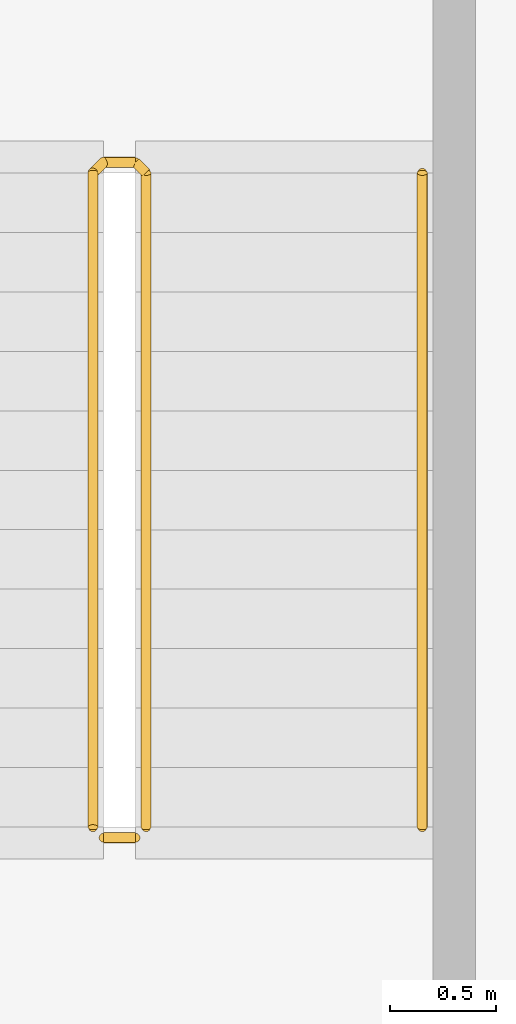
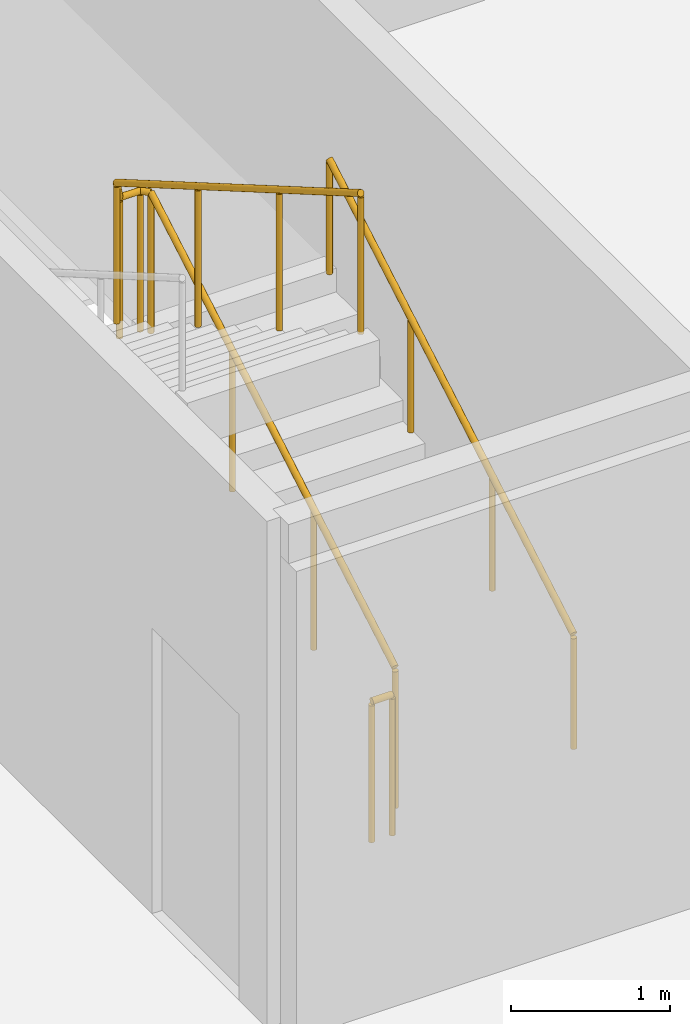
# One storey, part 29 of 30: 3 railings.
"""IFC4 building model written with IfcOpenShell, lengths in metres."""

import ifcopenshell
import ifcopenshell.guid

model = None  # the IFC model being written
_history = None  # IfcOwnerHistory: only IFC2X3 demands one
_inside = {}  # id of a spatial element -> (the spatial element, [elements in it])
_under = {}  # id of a project, library or spatial element -> (it, [spatial elements below it])
_declared = {}  # id of a project -> (the project, [libraries it declares])
_typed = {}  # id of a type object -> (the type object, [elements of that type])
_made_of = {}  # id of a material, layer set ... -> (it, [elements and type objects made of it])


def new_model(schema):
    """Start an empty IFC model of exactly this schema.

    Asked for "IFC4X3", IfcOpenShell would pick the latest addendum, in which some entities
    have other attributes; the version numbers below select the first issue.
    IFC2X3 requires an IfcOwnerHistory on every rooted entity: one is made here for all.
    """
    global model, _history
    if schema == "IFC4X3":
        model = ifcopenshell.file(schema_version=(4, 3, 0, 0))
    else:
        model = ifcopenshell.file(schema=schema)
    _inside.clear()
    _under.clear()
    _declared.clear()
    _typed.clear()
    _made_of.clear()
    _history = None
    if model.schema == "IFC2X3":
        org = make("IfcOrganization", Name="unknown")
        user = make(
            "IfcPersonAndOrganization",
            ThePerson=make("IfcPerson", FamilyName="unknown"),
            TheOrganization=org,
        )
        app = make(
            "IfcApplication",
            ApplicationDeveloper=org,
            Version="unknown",
            ApplicationFullName="unknown",
            ApplicationIdentifier="unknown",
        )
        _history = make(
            "IfcOwnerHistory",
            OwningUser=user,
            OwningApplication=app,
            ChangeAction="ADDED",
            CreationDate=0,
        )
    return model


def make(cls, **values):
    """One entity of the class cls with the attributes given. An attribute that is None is left unset."""
    return model.create_entity(
        cls, **{name: value for name, value in values.items() if value is not None}
    )


def rooted(cls, **values):
    """An entity with a GlobalId (a new one), such as an element, a storey or a relation."""
    return make(cls, GlobalId=ifcopenshell.guid.new(), OwnerHistory=_history, **values)


def si_unit(unit_type, name, prefix=None):
    """IfcSIUnit, for example si_unit("LENGTHUNIT", "METRE", prefix="MILLI")."""
    return make("IfcSIUnit", UnitType=unit_type, Prefix=prefix, Name=name)


def assignment(units):
    """IfcUnitAssignment: the units of a project."""
    return None if units is None else make("IfcUnitAssignment", Units=units)


def point(xyz):
    """IfcCartesianPoint."""
    return None if xyz is None else make("IfcCartesianPoint", Coordinates=xyz)


def direction(xyz):
    """IfcDirection."""
    return None if xyz is None else make("IfcDirection", DirectionRatios=xyz)


def frame(location, z_axis=None, x_axis=None):
    """IfcAxis2Placement3D, a coordinate frame: its origin and axes. An axis left out is left unset."""
    return make(
        "IfcAxis2Placement3D",
        Location=point(location),
        Axis=direction(z_axis),
        RefDirection=direction(x_axis),
    )


def frame_2d(location, x_axis=None):
    """IfcAxis2Placement2D, a coordinate frame in the plane: its origin and x axis."""
    return make(
        "IfcAxis2Placement2D", Location=point(location), RefDirection=direction(x_axis)
    )


def origin():
    """The frame at (0, 0, 0) with its axes left unset."""
    return frame((0.0, 0.0, 0.0))


def origin_2d():
    """The frame at (0, 0) in the plane with its x axis left unset."""
    return frame_2d((0.0, 0.0))


def place(relative_to, where):
    """IfcLocalPlacement: puts the frame where relative to a parent placement (None: the world)."""
    return make(
        "IfcLocalPlacement", PlacementRelTo=relative_to, RelativePlacement=where
    )


def context(
    kind, dimensions, precision=None, world=None, true_north=None, identifier=None
):
    """IfcGeometricRepresentationContext, for example the 3D "Model" context."""
    return make(
        "IfcGeometricRepresentationContext",
        ContextIdentifier=identifier,
        ContextType=kind,
        CoordinateSpaceDimension=dimensions,
        Precision=precision,
        WorldCoordinateSystem=world,
        TrueNorth=true_north,
    )


def subcontext(parent, identifier, kind, view, scale=None):
    """IfcGeometricRepresentationSubContext, for example "Body" below "Model"."""
    return make(
        "IfcGeometricRepresentationSubContext",
        ContextIdentifier=identifier,
        ContextType=kind,
        ParentContext=parent,
        TargetScale=scale,
        TargetView=view,
    )


def project(units=None, contexts=None):
    """IfcProject with its units and contexts."""
    return rooted(
        "IfcProject",
        Name="project",
        RepresentationContexts=contexts,
        UnitsInContext=assignment(units),
    )


def spatial(cls, under=None, at=None, **own):
    """A site, building, storey or space (cls), placed at a placement, below another one or the project."""
    s = rooted(cls, ObjectPlacement=at, **own)
    if under is not None:
        _under.setdefault(under.id(), (under, []))[1].append(s)
    return s


def profile(cls, at=None, kind="AREA", **sizes):
    """A parametric profile (cls). Its sizes go by their IFC names, for example OverallWidth=200.0."""
    return make(cls, ProfileType=kind, Position=at, **sizes)


def circle(**sizes):
    """IfcCircleProfileDef."""
    return profile("IfcCircleProfileDef", **sizes)


def extrude(swept, where, along, depth):
    """IfcExtrudedAreaSolid: the profile swept, set in the frame where, extruded along a direction by depth."""
    return make(
        "IfcExtrudedAreaSolid",
        SweptArea=swept,
        Position=where,
        ExtrudedDirection=direction(along),
        Depth=depth,
    )


def shape(context_of_items, identifier, shape_type, items):
    """IfcShapeRepresentation: the items that make up one representation, for example the "Body"."""
    return make(
        "IfcShapeRepresentation",
        ContextOfItems=context_of_items,
        RepresentationIdentifier=identifier,
        RepresentationType=shape_type,
        Items=items,
    )


def material(Name=None, Category=None):
    """IfcMaterial."""
    return make("IfcMaterial", Name=Name, Category=Category)


def made_of(thing, what):
    """Note that an element or type object is made of a material, layer set ...; save() writes the relation."""
    if what is not None:
        _made_of.setdefault(what.id(), (what, []))[1].append(thing)
    return thing


def type_object(cls, material=None, **own):
    """A type object (cls), such as IfcWallType, which elements share."""
    return made_of(rooted(cls, **own), material)


def element(
    cls,
    number,
    at=None,
    inside=None,
    cuts=None,
    type_object=None,
    material=None,
    context=None,
    identifier="Body",
    shape_type=None,
    held_by="IfcProductDefinitionShape",
    body=None,
    shapes=None,
    **own,
):
    """One element of the class cls, such as IfcWall. Its Tag is "e" and its number.

    at: its placement. inside: the storey or other place that contains it. cuts: it is an
    opening in that element (IfcRelVoidsElement). A single representation is given by context,
    identifier, shape_type and body (its items); several are given by shapes. held_by: the class
    of the entity that holds the representations. save() writes the other relations.
    """
    e = rooted(cls, Tag="e%d" % number, ObjectPlacement=at, **own)
    if body is not None:
        shapes = [shape(context, identifier, shape_type, body)]
    if shapes is not None:
        e.Representation = make(held_by, Representations=shapes)
    if inside is not None:
        _inside.setdefault(inside.id(), (inside, []))[1].append(e)
    if cuts is not None:
        rooted(
            "IfcRelVoidsElement", RelatingBuildingElement=cuts, RelatedOpeningElement=e
        )
    if type_object is not None:
        _typed.setdefault(type_object.id(), (type_object, []))[1].append(e)
    return made_of(e, material)


def aggregate(whole, parts):
    """IfcRelAggregates: a whole, such as a stair, and the parts it consists of."""
    return rooted("IfcRelAggregates", RelatingObject=whole, RelatedObjects=parts)


def save(model, path):
    """Write the relations noted so far, then the file.

    IfcRelAggregates (storeys below a building ...), IfcRelContainedInSpatialStructure (elements
    in a storey), IfcRelDefinesByType, IfcRelAssociatesMaterial and IfcRelDeclares: one each for
    every whole, place, type object, material and project.
    """
    for whole, parts in _under.values():
        aggregate(whole, parts)
    for where, things in _inside.values():
        rooted(
            "IfcRelContainedInSpatialStructure",
            RelatedElements=things,
            RelatingStructure=where,
        )
    for kind, things in _typed.values():
        rooted("IfcRelDefinesByType", RelatedObjects=things, RelatingType=kind)
    for what, things in _made_of.values():
        rooted("IfcRelAssociatesMaterial", RelatedObjects=things, RelatingMaterial=what)
    for by, libraries in _declared.values():
        rooted("IfcRelDeclares", RelatingContext=by, RelatedDefinitions=libraries)
    model.write(path)


model = new_model("IFC4")

# Units and contexts
model_context = context("Model", 3, precision=1e-05, world=origin(), true_north=direction((0.0, 1.0)))
body_context = subcontext(model_context, "Body", "Model", "MODEL_VIEW")
ifc_project = project(units=[si_unit("LENGTHUNIT", "METRE"), si_unit("AREAUNIT", "SQUARE_METRE"), si_unit("VOLUMEUNIT", "CUBIC_METRE"), si_unit("PLANEANGLEUNIT", "RADIAN"), si_unit("MASSUNIT", "GRAM", prefix="KILO")], contexts=[model_context])

# Site, building, storey
site_placement = place(None, origin())
site = spatial("IfcSite", under=ifc_project, at=site_placement, CompositionType="ELEMENT")
building_placement = place(site_placement, origin())
building = spatial("IfcBuilding", under=site, at=building_placement, Name="Kheshtan School and Residences Tower", CompositionType="ELEMENT")
storey_placement = place(building_placement, frame((0.0, 0.0, 199.39990234375)))
storey = spatial("IfcBuildingStorey", under=building, at=storey_placement, Name="L47", CompositionType="ELEMENT", Elevation=199.39990234375)

# Railings
ifc_material_1 = material(Name="Stainless steel balustrade", Category="steel")
railing_type_1 = type_object("IfcRailingType", Name="Stair guard 1100", PredefinedType="GUARDRAIL", material=ifc_material_1)
railing_1_placement = place(storey_placement, frame((35.0, 80.89990234375, 0.16259765625)))
element("IfcRailing", 1, at=railing_1_placement, inside=storey, type_object=railing_type_1, Name="L47 ST3 stair guard 1", PredefinedType="GUARDRAIL", context=body_context, shape_type="SweptSolid", body=[
    extrude(circle(Radius=0.02392578125, at=origin_2d()), frame((0.0, 0.0, 1.076171875), z_axis=(0.0, 0.864890721111, 0.501960198159), x_axis=(-1.0, 0.0, 0.0)), (0.0, 0.0, 1.0), 3.561279296875),
    extrude(circle(Radius=0.02392578125, at=origin_2d()), frame((0.0, 3.080078125, 2.86376953125), z_axis=(-0.707106781187, 0.707106781187, 0.0), x_axis=(-0.707106781187, -0.707106781187, 0.0)), (0.0, 0.0, 1.0), 0.07080078125),
    extrude(circle(Radius=0.02392578125, at=origin_2d()), frame((-0.050048828125, 3.130126953125, 2.86376953125), z_axis=(-1.0, 0.0, 0.0), x_axis=(0.0, -1.0, 0.0)), (0.0, 0.0, 1.0), 0.14990234375),
    extrude(circle(Radius=0.02392578125, at=origin_2d()), frame((-0.199951171875, 3.130126953125, 2.86376953125), z_axis=(-0.282583949758, -0.282583949758, 0.916674763849), x_axis=(0.707106781187, -0.707106781187, 0.0)), (0.0, 0.0, 1.0), 0.177001953125),
    extrude(circle(Radius=0.02392578125, at=origin_2d()), frame((-0.25, 3.080078125, 3.02587890625), z_axis=(0.0, -0.864890721111, 0.501960198159), x_axis=(1.0, 0.0, 0.0)), (0.0, 0.0, 1.0), 3.561279296875),
    extrude(circle(Radius=0.02099609375, at=origin_2d()), origin(), (0.0, 0.0, 1.0), 1.052001953125),
    extrude(circle(Radius=0.02099609375, at=origin_2d()), frame((0.0, 1.026611328125, 0.595947265625)), (0.0, 0.0, 1.0), 1.052001953125),
    extrude(circle(Radius=0.02099609375, at=origin_2d()), frame((0.0, 2.053466796875, 1.191650390625)), (0.0, 0.0, 1.0), 1.052001953125),
    extrude(circle(Radius=0.02099609375, at=origin_2d()), frame((0.0, 3.080078125, 1.78759765625)), (0.0, 0.0, 1.0), 1.052001953125),
    extrude(circle(Radius=0.02099609375, at=origin_2d()), frame((-0.050048828125, 3.130126953125, 1.78759765625)), (0.0, 0.0, 1.0), 1.052001953125),
    extrude(circle(Radius=0.02099609375, at=origin_2d()), frame((-0.199951171875, 3.130126953125, 1.78759765625)), (0.0, 0.0, 1.0), 1.052001953125),
    extrude(circle(Radius=0.02099609375, at=origin_2d()), frame((-0.25, 3.080078125, 1.949951171875)), (0.0, 0.0, 1.0), 1.052001953125),
    extrude(circle(Radius=0.02099609375, at=origin_2d()), frame((-0.25, 2.053466796875, 2.5458984375)), (0.0, 0.0, 1.0), 1.052001953125),
    extrude(circle(Radius=0.02099609375, at=origin_2d()), frame((-0.25, 1.026611328125, 3.1416015625)), (0.0, 0.0, 1.0), 1.052001953125),
    extrude(circle(Radius=0.02099609375, at=origin_2d()), frame((-0.25, 0.0, 3.737548828125)), (0.0, 0.0, 1.0), 1.052001953125),
])
railing_2_placement = place(storey_placement, frame((34.949951171875, 80.85009765625, 0.0)))
element("IfcRailing", 2, at=railing_2_placement, inside=storey, type_object=railing_type_1, Name="L47 ST3 stair guard 2", PredefinedType="GUARDRAIL", context=body_context, shape_type="SweptSolid", body=[
    extrude(circle(Radius=0.02392578125, at=origin_2d()), frame((0.0, 0.0, 1.076171875), z_axis=(-1.0, 0.0, 0.0), x_axis=(0.0, -1.0, 0.0)), (0.0, 0.0, 1.0), 0.14990234375),
    extrude(circle(Radius=0.02099609375, at=origin_2d()), origin(), (0.0, 0.0, 1.0), 1.052001953125),
    extrude(circle(Radius=0.02099609375, at=origin_2d()), frame((-0.14990234375, 0.0, 0.0)), (0.0, 0.0, 1.0), 1.052001953125),
])
ifc_material_2 = material(Name="Stainless steel handrail", Category="steel")
railing_type_2 = type_object("IfcRailingType", Name="Stair handrail 900", PredefinedType="HANDRAIL", material=ifc_material_2)
railing_3_placement = place(storey_placement, frame((36.300048828125, 80.89990234375, 0.16259765625)))
element("IfcRailing", 3, at=railing_3_placement, inside=storey, type_object=railing_type_2, Name="L47 ST3 stair handrail 1", PredefinedType="HANDRAIL", context=body_context, shape_type="SweptSolid", body=[
    extrude(circle(Radius=0.02392578125, at=origin_2d()), frame((0.0, 0.0, 0.8759765625), z_axis=(0.0, 0.864890721111, 0.501960198159), x_axis=(-1.0, 0.0, 0.0)), (0.0, 0.0, 1.0), 3.561279296875),
    extrude(circle(Radius=0.02099609375, at=origin_2d()), origin(), (0.0, 0.0, 1.0), 0.851806640625),
    extrude(circle(Radius=0.02099609375, at=origin_2d()), frame((0.0, 1.026611328125, 0.595947265625)), (0.0, 0.0, 1.0), 0.851806640625),
    extrude(circle(Radius=0.02099609375, at=origin_2d()), frame((0.0, 2.053466796875, 1.191650390625)), (0.0, 0.0, 1.0), 0.851806640625),
    extrude(circle(Radius=0.02099609375, at=origin_2d()), frame((0.0, 3.080078125, 1.78759765625)), (0.0, 0.0, 1.0), 0.851806640625),
])

save(model, "model.ifc")
